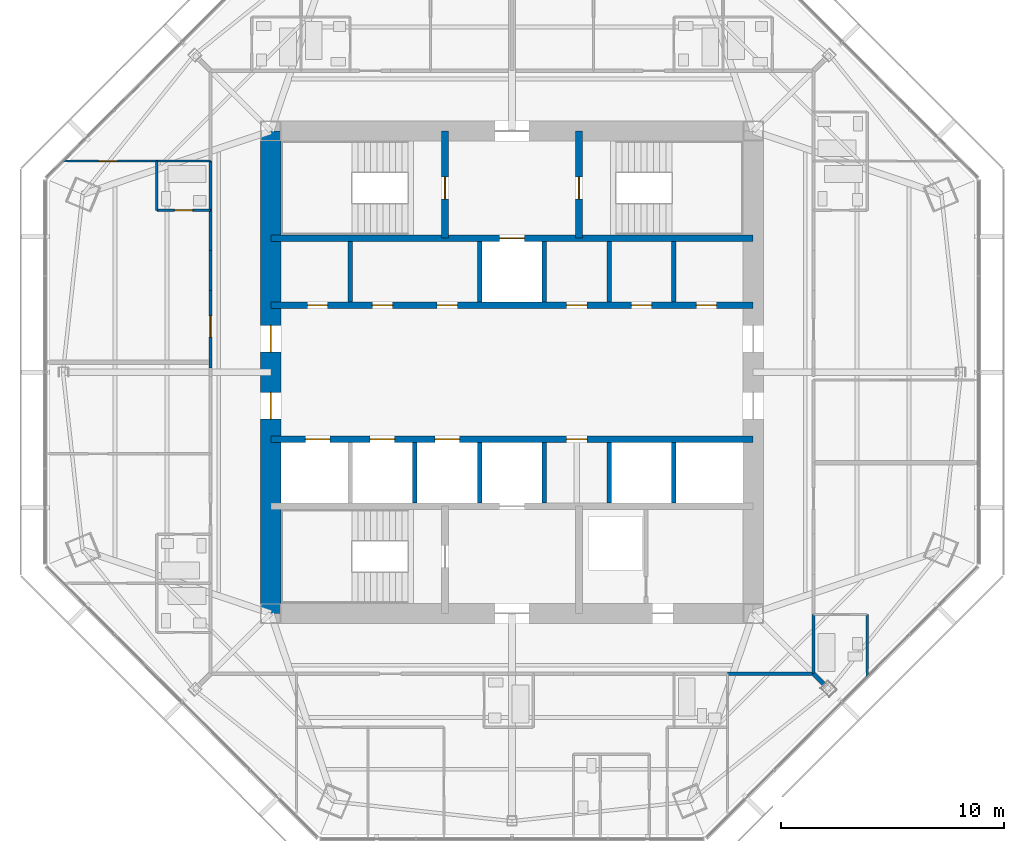
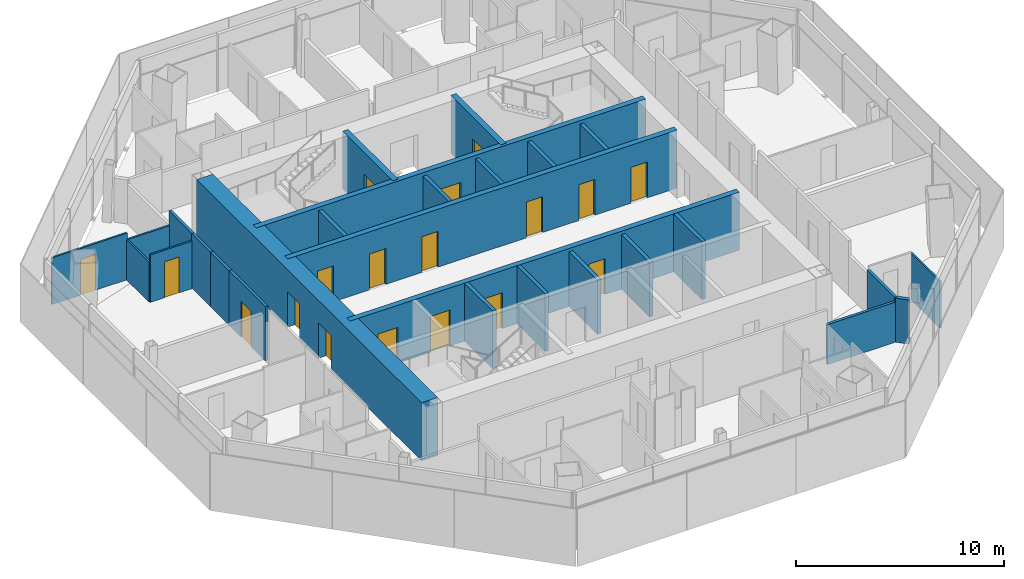
# One storey, part 10 of 14: 28 walls, 18 doors, 18 openings.
"""IFC4 building model written with IfcOpenShell, lengths in metres."""

from ifc_helpers import new_model, si_unit, direction, frame, frame_2d, origin, place, context, subcontext, project, spatial, rectangle, extrude, material, layer, layer_set, type_object, element, fill, save


model = new_model("IFC4")

# Units and contexts
model_context = context("Model", 3, precision=1e-05, world=origin(), true_north=direction((0.0, 1.0)))
body_context = subcontext(model_context, "Body", "Model", "MODEL_VIEW")
ifc_project = project(units=[si_unit("LENGTHUNIT", "METRE"), si_unit("AREAUNIT", "SQUARE_METRE"), si_unit("VOLUMEUNIT", "CUBIC_METRE"), si_unit("PLANEANGLEUNIT", "RADIAN"), si_unit("MASSUNIT", "GRAM", prefix="KILO")], contexts=[model_context])

# Site, building, storey
site_placement = place(None, origin())
site = spatial("IfcSite", under=ifc_project, at=site_placement, CompositionType="ELEMENT")
building_placement = place(site_placement, origin())
building = spatial("IfcBuilding", under=site, at=building_placement, Name="Mashrafa Tower", CompositionType="ELEMENT")
storey_placement = place(building_placement, frame((0.0, 0.0, 251.60009765625)))
storey = spatial("IfcBuildingStorey", under=building, at=storey_placement, Name="L60", CompositionType="ELEMENT", Elevation=251.60009765625)

# Wall
ifc_material_1 = material(Name="Gypsum board on steel studs", Category="steel")
ifc_layer_1 = layer(ifc_material_1, 0.199951171875)
ifc_layer_set_1 = layer_set([ifc_layer_1], Name="Acoustic partition 200 1 hr")
wall_type_1 = type_object("IfcWallType", Name="Acoustic partition 200 1 hr", PredefinedType="PARTITIONING", material=ifc_layer_set_1)
wall_1_placement = place(storey_placement, frame((13.5, -13.5, 0.0), z_axis=(0.0, 0.0, 1.0), x_axis=(0.707106781187, -0.707106781187, 0.0)))
element("IfcWall", 1, at=wall_1_placement, inside=storey, type_object=wall_type_1, Name="Acoustic wall L60-049", PredefinedType="PARTITIONING", context=body_context, shape_type="SweptSolid", body=[
    extrude(rectangle(XDim=0.6650390625, YDim=0.199951171875, at=frame_2d((0.33251953125, 0.0))), origin(), (0.0, 0.0, 1.0), 2.587890625),
])

# Wall, openings, doors
ifc_material_2 = material(Name="Concrete C50/60", Category="concrete")
ifc_layer_2 = layer(ifc_material_2, 0.300048828125)
ifc_layer_set_2 = layer_set([ifc_layer_2], Name="Core wall 300 C50/60")
wall_type_2 = type_object("IfcWallType", Name="Core wall 300 C50/60", PredefinedType="SOLIDWALL", material=ifc_layer_set_2)
wall_2_placement = place(storey_placement, frame((-10.800048828125, 3.0, 0.0), z_axis=(0.0, 0.0, 1.0), x_axis=(1.0, 0.0, 0.0)))
wall_2 = element("IfcWall", 2, at=wall_2_placement, inside=storey, type_object=wall_type_2, Name="Core wall CH-N L60", PredefinedType="SOLIDWALL", context=body_context, shape_type="SweptSolid", body=[
    extrude(rectangle(XDim=21.60009765625, YDim=0.300048828125, at=frame_2d((10.800048828125, 0.0))), origin(), (0.0, 0.0, 1.0), 3.39990234375),
])
opening_1_placement = place(wall_2_placement, frame((1.64990234375, 0.0, 0.0)))
opening_1 = element("IfcOpeningElement", 3, at=opening_1_placement, cuts=wall_2, Name="Opening 60.047", PredefinedType="OPENING", context=body_context, shape_type="SweptSolid", body=[
    extrude(rectangle(XDim=0.89990234375, YDim=2.10009765625, at=frame_2d((0.449951171875, 1.050048828125))), frame((0.0, 0.159912109375, 0.0), z_axis=(0.0, -1.0, 0.0), x_axis=(1.0, 0.0, 0.0)), (0.0, 0.0, 1.0), 0.320068359375),
])
opening_2_placement = place(wall_2_placement, frame((4.550048828125, 0.0, 0.0)))
opening_2 = element("IfcOpeningElement", 4, at=opening_2_placement, cuts=wall_2, Name="Opening 60.048", PredefinedType="OPENING", context=body_context, shape_type="SweptSolid", body=[
    extrude(rectangle(XDim=0.89990234375, YDim=2.10009765625, at=frame_2d((0.449951171875, 1.050048828125))), frame((0.0, 0.159912109375, 0.0), z_axis=(0.0, -1.0, 0.0), x_axis=(1.0, 0.0, 0.0)), (0.0, 0.0, 1.0), 0.320068359375),
])
opening_3_placement = place(wall_2_placement, frame((7.449951171875, 0.0, 0.0)))
opening_3 = element("IfcOpeningElement", 5, at=opening_3_placement, cuts=wall_2, Name="Opening 60.049", PredefinedType="OPENING", context=body_context, shape_type="SweptSolid", body=[
    extrude(rectangle(XDim=0.89990234375, YDim=2.10009765625, at=frame_2d((0.449951171875, 1.050048828125))), frame((0.0, 0.159912109375, 0.0), z_axis=(0.0, -1.0, 0.0), x_axis=(1.0, 0.0, 0.0)), (0.0, 0.0, 1.0), 0.320068359375),
])
opening_4_placement = place(wall_2_placement, frame((13.25, 0.0, 0.0)))
opening_4 = element("IfcOpeningElement", 6, at=opening_4_placement, cuts=wall_2, Name="Opening 60.050", PredefinedType="OPENING", context=body_context, shape_type="SweptSolid", body=[
    extrude(rectangle(XDim=0.89990234375, YDim=2.10009765625, at=frame_2d((0.449951171875, 1.050048828125))), frame((0.0, 0.159912109375, 0.0), z_axis=(0.0, -1.0, 0.0), x_axis=(1.0, 0.0, 0.0)), (0.0, 0.0, 1.0), 0.320068359375),
])
opening_5_placement = place(wall_2_placement, frame((16.14990234375, 0.0, 0.0)))
opening_5 = element("IfcOpeningElement", 7, at=opening_5_placement, cuts=wall_2, Name="Opening 60.052", PredefinedType="OPENING", context=body_context, shape_type="SweptSolid", body=[
    extrude(rectangle(XDim=0.89990234375, YDim=2.10009765625, at=frame_2d((0.449951171875, 1.050048828125))), frame((0.0, 0.159912109375, 0.0), z_axis=(0.0, -1.0, 0.0), x_axis=(1.0, 0.0, 0.0)), (0.0, 0.0, 1.0), 0.320068359375),
])
opening_6_placement = place(wall_2_placement, frame((19.050048828125, 0.0, 0.0)))
opening_6 = element("IfcOpeningElement", 8, at=opening_6_placement, cuts=wall_2, Name="Opening 60.053", PredefinedType="OPENING", context=body_context, shape_type="SweptSolid", body=[
    extrude(rectangle(XDim=0.89990234375, YDim=2.10009765625, at=frame_2d((0.449951171875, 1.050048828125))), frame((0.0, 0.159912109375, 0.0), z_axis=(0.0, -1.0, 0.0), x_axis=(1.0, 0.0, 0.0)), (0.0, 0.0, 1.0), 0.320068359375),
])
ifc_material_3 = material(Name="Timber door", Category="wood")
door_type_1 = type_object("IfcDoorType", Name="Store door 900 x 2100", OperationType="USERDEFINED", PredefinedType="DOOR", material=ifc_material_3)
door_1_placement = place(opening_1_placement, origin())
door_1 = element("IfcDoor", 9, at=door_1_placement, inside=storey, type_object=door_type_1, Name="Refuse Chute Room L60 door", OperationType="SINGLE_SWING_RIGHT", OverallHeight=2.10009765625, OverallWidth=0.89990234375, PredefinedType="DOOR", context=body_context, shape_type="SweptSolid", body=[
    extrude(rectangle(XDim=0.89990234375, YDim=2.10009765625, at=frame_2d((0.449951171875, 1.050048828125))), frame((0.0, 0.02490234375, 0.0), z_axis=(0.0, -1.0, 0.0), x_axis=(1.0, 0.0, 0.0)), (0.0, 0.0, 1.0), 0.050048828125),
])
fill(opening_1, door_1)
door_2_placement = place(opening_2_placement, origin())
door_2 = element("IfcDoor", 10, at=door_2_placement, inside=storey, type_object=door_type_1, Name="Housekeeping and Linen Room L60 door", OperationType="SINGLE_SWING_LEFT", OverallHeight=2.10009765625, OverallWidth=0.89990234375, PredefinedType="DOOR", context=body_context, shape_type="SweptSolid", body=[
    extrude(rectangle(XDim=0.89990234375, YDim=2.10009765625, at=frame_2d((0.449951171875, 1.050048828125))), frame((0.0, 0.02490234375, 0.0), z_axis=(0.0, -1.0, 0.0), x_axis=(1.0, 0.0, 0.0)), (0.0, 0.0, 1.0), 0.050048828125),
])
fill(opening_2, door_2)
door_3_placement = place(opening_3_placement, origin())
door_3 = element("IfcDoor", 11, at=door_3_placement, inside=storey, type_object=door_type_1, Name="Housekeeping and Linen Room L60 door", OperationType="SINGLE_SWING_RIGHT", OverallHeight=2.10009765625, OverallWidth=0.89990234375, PredefinedType="DOOR", context=body_context, shape_type="SweptSolid", body=[
    extrude(rectangle(XDim=0.89990234375, YDim=2.10009765625, at=frame_2d((0.449951171875, 1.050048828125))), frame((0.0, 0.02490234375, 0.0), z_axis=(0.0, -1.0, 0.0), x_axis=(1.0, 0.0, 0.0)), (0.0, 0.0, 1.0), 0.050048828125),
])
fill(opening_3, door_3)
door_4_placement = place(opening_4_placement, origin())
door_4 = element("IfcDoor", 12, at=door_4_placement, inside=storey, type_object=door_type_1, Name="Cleaner's Store L60 door", OperationType="SINGLE_SWING_LEFT", OverallHeight=2.10009765625, OverallWidth=0.89990234375, PredefinedType="DOOR", context=body_context, shape_type="SweptSolid", body=[
    extrude(rectangle(XDim=0.89990234375, YDim=2.10009765625, at=frame_2d((0.449951171875, 1.050048828125))), frame((0.0, 0.02490234375, 0.0), z_axis=(0.0, -1.0, 0.0), x_axis=(1.0, 0.0, 0.0)), (0.0, 0.0, 1.0), 0.050048828125),
])
fill(opening_4, door_4)
door_5_placement = place(opening_5_placement, origin())
door_5 = element("IfcDoor", 13, at=door_5_placement, inside=storey, type_object=door_type_1, Name="Residents' Store L60-K1 door", OperationType="SINGLE_SWING_LEFT", OverallHeight=2.10009765625, OverallWidth=0.89990234375, PredefinedType="DOOR", context=body_context, shape_type="SweptSolid", body=[
    extrude(rectangle(XDim=0.89990234375, YDim=2.10009765625, at=frame_2d((0.449951171875, 1.050048828125))), frame((0.0, 0.02490234375, 0.0), z_axis=(0.0, -1.0, 0.0), x_axis=(1.0, 0.0, 0.0)), (0.0, 0.0, 1.0), 0.050048828125),
])
fill(opening_5, door_5)
door_6_placement = place(opening_6_placement, origin())
door_6 = element("IfcDoor", 14, at=door_6_placement, inside=storey, type_object=door_type_1, Name="Residents' Store L60-K2 door", OperationType="SINGLE_SWING_LEFT", OverallHeight=2.10009765625, OverallWidth=0.89990234375, PredefinedType="DOOR", context=body_context, shape_type="SweptSolid", body=[
    extrude(rectangle(XDim=0.89990234375, YDim=2.10009765625, at=frame_2d((0.449951171875, 1.050048828125))), frame((0.0, 0.02490234375, 0.0), z_axis=(0.0, -1.0, 0.0), x_axis=(1.0, 0.0, 0.0)), (0.0, 0.0, 1.0), 0.050048828125),
])
fill(opening_6, door_6)

# Wall, opening, door
wall_3_placement = place(storey_placement, frame((-10.800048828125, 6.0, 0.0), z_axis=(0.0, 0.0, 1.0), x_axis=(1.0, 0.0, 0.0)))
wall_3 = element("IfcWall", 15, at=wall_3_placement, inside=storey, type_object=wall_type_2, Name="Core wall CB-N L60", PredefinedType="SOLIDWALL", context=body_context, shape_type="SweptSolid", body=[
    extrude(rectangle(XDim=21.60009765625, YDim=0.300048828125, at=frame_2d((10.800048828125, 0.0))), origin(), (0.0, 0.0, 1.0), 3.39990234375),
])
opening_7_placement = place(wall_3_placement, frame((10.25, 0.0, 0.0)))
opening_7 = element("IfcOpeningElement", 16, at=opening_7_placement, cuts=wall_3, Name="Opening 60.F1", PredefinedType="OPENING", context=body_context, shape_type="SweptSolid", body=[
    extrude(rectangle(XDim=1.10009765625, YDim=2.10009765625, at=frame_2d((0.550048828125, 1.050048828125))), frame((0.0, 0.159912109375, 0.0), z_axis=(0.0, -1.0, 0.0), x_axis=(1.0, 0.0, 0.0)), (0.0, 0.0, 1.0), 0.320068359375),
])
ifc_material_4 = material(Name="Steel door", Category="steel")
door_type_2 = type_object("IfcDoorType", Name="Lift landing door 1100 x 2100 90 min", OperationType="DOUBLE_DOOR_SLIDING", PredefinedType="DOOR", material=ifc_material_4)
door_7_placement = place(opening_7_placement, origin())
door_7 = element("IfcDoor", 17, at=door_7_placement, inside=storey, type_object=door_type_2, Name="Lift landing door F1 L60", OperationType="DOUBLE_DOOR_SLIDING", OverallHeight=2.10009765625, OverallWidth=1.10009765625, PredefinedType="DOOR", context=body_context, shape_type="SweptSolid", body=[
    extrude(rectangle(XDim=1.10009765625, YDim=2.10009765625, at=frame_2d((0.550048828125, 1.050048828125))), frame((0.0, 0.02490234375, 0.0), z_axis=(0.0, -1.0, 0.0), x_axis=(1.0, 0.0, 0.0)), (0.0, 0.0, 1.0), 0.050048828125),
])
fill(opening_7, door_7)

wall_4_placement = place(storey_placement, frame((-3.0, 6.0, 0.0), z_axis=(0.0, 0.0, 1.0), x_axis=(0.0, 1.0, 0.0)))
wall_4 = element("IfcWall", 18, at=wall_4_placement, inside=storey, type_object=wall_type_2, Name="Core wall CX-NW L60", PredefinedType="SOLIDWALL", context=body_context, shape_type="SweptSolid", body=[
    extrude(rectangle(XDim=4.800048828125, YDim=0.300048828125, at=frame_2d((2.39990234375, 0.0))), origin(), (0.0, 0.0, 1.0), 3.39990234375),
])
opening_8_placement = place(wall_4_placement, frame((1.75, 0.0, 0.0)))
opening_8 = element("IfcOpeningElement", 19, at=opening_8_placement, cuts=wall_4, Name="Opening 60.042", PredefinedType="OPENING", context=body_context, shape_type="SweptSolid", body=[
    extrude(rectangle(XDim=1.0, YDim=2.10009765625, at=frame_2d((0.5, 1.050048828125))), frame((0.0, 0.159912109375, 0.0), z_axis=(0.0, -1.0, 0.0), x_axis=(1.0, 0.0, 0.0)), (0.0, 0.0, 1.0), 0.320068359375),
])
ifc_material_5 = material(Name="Steel door", Category="steel")
door_type_3 = type_object("IfcDoorType", Name="Stair door 1000 x 2100 90 min", OperationType="USERDEFINED", PredefinedType="DOOR", material=ifc_material_5)
door_8_placement = place(opening_8_placement, origin())
door_8 = element("IfcDoor", 20, at=door_8_placement, inside=storey, type_object=door_type_3, Name="Stair S1 door L60", OperationType="SINGLE_SWING_LEFT", OverallHeight=2.10009765625, OverallWidth=1.0, PredefinedType="DOOR", context=body_context, shape_type="SweptSolid", body=[
    extrude(rectangle(XDim=1.0, YDim=2.10009765625, at=frame_2d((0.5, 1.050048828125))), frame((0.0, 0.02490234375, 0.0), z_axis=(0.0, -1.0, 0.0), x_axis=(1.0, 0.0, 0.0)), (0.0, 0.0, 1.0), 0.050048828125),
])
fill(opening_8, door_8)

wall_5_placement = place(storey_placement, frame((3.0, 6.0, 0.0), z_axis=(0.0, 0.0, 1.0), x_axis=(0.0, 1.0, 0.0)))
wall_5 = element("IfcWall", 21, at=wall_5_placement, inside=storey, type_object=wall_type_2, Name="Core wall CX-NE L60", PredefinedType="SOLIDWALL", context=body_context, shape_type="SweptSolid", body=[
    extrude(rectangle(XDim=4.800048828125, YDim=0.300048828125, at=frame_2d((2.39990234375, 0.0))), origin(), (0.0, 0.0, 1.0), 3.39990234375),
])
opening_9_placement = place(wall_5_placement, frame((1.75, 0.0, 0.0)))
opening_9 = element("IfcOpeningElement", 22, at=opening_9_placement, cuts=wall_5, Name="Opening 60.043", PredefinedType="OPENING", context=body_context, shape_type="SweptSolid", body=[
    extrude(rectangle(XDim=1.0, YDim=2.10009765625, at=frame_2d((0.5, 1.050048828125))), frame((0.0, 0.159912109375, 0.0), z_axis=(0.0, -1.0, 0.0), x_axis=(1.0, 0.0, 0.0)), (0.0, 0.0, 1.0), 0.320068359375),
])
door_9_placement = place(opening_9_placement, frame((1.0, 0.0, 0.0), z_axis=(0.0, 0.0, 1.0), x_axis=(-1.0, 0.0, 0.0)))
door_9 = element("IfcDoor", 23, at=door_9_placement, inside=storey, type_object=door_type_3, Name="Stair S2 door L60", OperationType="SINGLE_SWING_RIGHT", OverallHeight=2.10009765625, OverallWidth=1.0, PredefinedType="DOOR", context=body_context, shape_type="SweptSolid", body=[
    extrude(rectangle(XDim=1.0, YDim=2.10009765625, at=frame_2d((0.5, 1.050048828125))), frame((0.0, 0.02490234375, 0.0), z_axis=(0.0, -1.0, 0.0), x_axis=(1.0, 0.0, 0.0)), (0.0, 0.0, 1.0), 0.050048828125),
])
fill(opening_9, door_9)

# Wall, openings, doors
wall_6_placement = place(storey_placement, frame((-10.800048828125, -3.0, 0.0), z_axis=(0.0, 0.0, 1.0), x_axis=(1.0, 0.0, 0.0)))
wall_6 = element("IfcWall", 24, at=wall_6_placement, inside=storey, type_object=wall_type_2, Name="Core wall CH-S L60", PredefinedType="SOLIDWALL", context=body_context, shape_type="SweptSolid", body=[
    extrude(rectangle(XDim=21.60009765625, YDim=0.300048828125, at=frame_2d((10.800048828125, 0.0))), origin(), (0.0, 0.0, 1.0), 3.39990234375),
])
opening_10_placement = place(wall_6_placement, frame((13.25, 0.0, 0.0)))
opening_10 = element("IfcOpeningElement", 25, at=opening_10_placement, cuts=wall_6, Name="Opening 60.051", PredefinedType="OPENING", context=body_context, shape_type="SweptSolid", body=[
    extrude(rectangle(XDim=0.89990234375, YDim=2.10009765625, at=frame_2d((0.449951171875, 1.050048828125))), frame((0.0, 0.159912109375, 0.0), z_axis=(0.0, -1.0, 0.0), x_axis=(1.0, 0.0, 0.0)), (0.0, 0.0, 1.0), 0.320068359375),
])
opening_11_placement = place(wall_6_placement, frame((1.550048828125, 0.0, 0.0)))
opening_11 = element("IfcOpeningElement", 26, at=opening_11_placement, cuts=wall_6, Name="Opening 60.AL1", PredefinedType="OPENING", context=body_context, shape_type="SweptSolid", body=[
    extrude(rectangle(XDim=1.10009765625, YDim=2.10009765625, at=frame_2d((0.550048828125, 1.050048828125))), frame((0.0, 0.159912109375, 0.0), z_axis=(0.0, -1.0, 0.0), x_axis=(1.0, 0.0, 0.0)), (0.0, 0.0, 1.0), 0.320068359375),
])
opening_12_placement = place(wall_6_placement, frame((4.449951171875, 0.0, 0.0)))
opening_12 = element("IfcOpeningElement", 27, at=opening_12_placement, cuts=wall_6, Name="Opening 60.AL2", PredefinedType="OPENING", context=body_context, shape_type="SweptSolid", body=[
    extrude(rectangle(XDim=1.10009765625, YDim=2.10009765625, at=frame_2d((0.550048828125, 1.050048828125))), frame((0.0, 0.159912109375, 0.0), z_axis=(0.0, -1.0, 0.0), x_axis=(1.0, 0.0, 0.0)), (0.0, 0.0, 1.0), 0.320068359375),
])
opening_13_placement = place(wall_6_placement, frame((7.35009765625, 0.0, 0.0)))
opening_13 = element("IfcOpeningElement", 28, at=opening_13_placement, cuts=wall_6, Name="Opening 60.AL3", PredefinedType="OPENING", context=body_context, shape_type="SweptSolid", body=[
    extrude(rectangle(XDim=1.10009765625, YDim=2.10009765625, at=frame_2d((0.550048828125, 1.050048828125))), frame((0.0, 0.159912109375, 0.0), z_axis=(0.0, -1.0, 0.0), x_axis=(1.0, 0.0, 0.0)), (0.0, 0.0, 1.0), 0.320068359375),
])
door_10_placement = place(opening_11_placement, origin())
door_10 = element("IfcDoor", 29, at=door_10_placement, inside=storey, type_object=door_type_2, Name="Lift landing door AL1 L60", OperationType="DOUBLE_DOOR_SLIDING", OverallHeight=2.10009765625, OverallWidth=1.10009765625, PredefinedType="DOOR", context=body_context, shape_type="SweptSolid", body=[
    extrude(rectangle(XDim=1.10009765625, YDim=2.10009765625, at=frame_2d((0.550048828125, 1.050048828125))), frame((0.0, 0.02490234375, 0.0), z_axis=(0.0, -1.0, 0.0), x_axis=(1.0, 0.0, 0.0)), (0.0, 0.0, 1.0), 0.050048828125),
])
fill(opening_11, door_10)
door_11_placement = place(opening_12_placement, origin())
door_11 = element("IfcDoor", 30, at=door_11_placement, inside=storey, type_object=door_type_2, Name="Lift landing door AL2 L60", OperationType="DOUBLE_DOOR_SLIDING", OverallHeight=2.10009765625, OverallWidth=1.10009765625, PredefinedType="DOOR", context=body_context, shape_type="SweptSolid", body=[
    extrude(rectangle(XDim=1.10009765625, YDim=2.10009765625, at=frame_2d((0.550048828125, 1.050048828125))), frame((0.0, 0.02490234375, 0.0), z_axis=(0.0, -1.0, 0.0), x_axis=(1.0, 0.0, 0.0)), (0.0, 0.0, 1.0), 0.050048828125),
])
fill(opening_12, door_11)
door_12_placement = place(opening_13_placement, origin())
door_12 = element("IfcDoor", 31, at=door_12_placement, inside=storey, type_object=door_type_2, Name="Lift landing door AL3 L60", OperationType="DOUBLE_DOOR_SLIDING", OverallHeight=2.10009765625, OverallWidth=1.10009765625, PredefinedType="DOOR", context=body_context, shape_type="SweptSolid", body=[
    extrude(rectangle(XDim=1.10009765625, YDim=2.10009765625, at=frame_2d((0.550048828125, 1.050048828125))), frame((0.0, 0.02490234375, 0.0), z_axis=(0.0, -1.0, 0.0), x_axis=(1.0, 0.0, 0.0)), (0.0, 0.0, 1.0), 0.050048828125),
])
fill(opening_13, door_12)
door_13_placement = place(opening_10_placement, frame((0.89990234375, 0.0, 0.0), z_axis=(0.0, 0.0, 1.0), x_axis=(-1.0, 0.0, 0.0)))
door_13 = element("IfcDoor", 32, at=door_13_placement, inside=storey, type_object=door_type_1, Name="Communications Room L60 door", OperationType="SINGLE_SWING_RIGHT", OverallHeight=2.10009765625, OverallWidth=0.89990234375, PredefinedType="DOOR", context=body_context, shape_type="SweptSolid", body=[
    extrude(rectangle(XDim=0.89990234375, YDim=2.10009765625, at=frame_2d((0.449951171875, 1.050048828125))), frame((0.0, 0.02490234375, 0.0), z_axis=(0.0, -1.0, 0.0), x_axis=(1.0, 0.0, 0.0)), (0.0, 0.0, 1.0), 0.050048828125),
])
fill(opening_10, door_13)

ifc_material_6 = material(Name="Concrete C50/60", Category="concrete")
ifc_layer_3 = layer(ifc_material_6, 0.89990234375)
ifc_layer_set_3 = layer_set([ifc_layer_3], Name="Core wall 900 C50/60")
wall_type_3 = type_object("IfcWallType", Name="Core wall 900 C50/60", PredefinedType="SOLIDWALL", material=ifc_layer_set_3)
wall_7_placement = place(storey_placement, frame((-10.800048828125, 10.800048828125, 0.0), z_axis=(0.0, 0.0, 1.0), x_axis=(0.0, -1.0, 0.0)))
wall_7 = element("IfcWall", 33, at=wall_7_placement, inside=storey, type_object=wall_type_3, Name="Core wall CW-W L60", PredefinedType="SOLIDWALL", context=body_context, shape_type="SweptSolid", body=[
    extrude(rectangle(XDim=21.60009765625, YDim=0.89990234375, at=frame_2d((10.800048828125, 0.0))), origin(), (0.0, 0.0, 1.0), 3.39990234375),
])
opening_14_placement = place(wall_7_placement, frame((8.699951171875, 0.0, 0.0)))
opening_14 = element("IfcOpeningElement", 34, at=opening_14_placement, cuts=wall_7, Name="Opening 60.037", PredefinedType="OPENING", context=body_context, shape_type="SweptSolid", body=[
    extrude(rectangle(XDim=1.199951171875, YDim=2.10009765625, at=frame_2d((0.60009765625, 1.050048828125))), frame((0.0, 0.4599609375, 0.0), z_axis=(0.0, -1.0, 0.0), x_axis=(1.0, 0.0, 0.0)), (0.0, 0.0, 1.0), 0.919921875),
])
opening_15_placement = place(wall_7_placement, frame((11.699951171875, 0.0, 0.0)))
opening_15 = element("IfcOpeningElement", 35, at=opening_15_placement, cuts=wall_7, Name="Opening 60.039", PredefinedType="OPENING", context=body_context, shape_type="SweptSolid", body=[
    extrude(rectangle(XDim=1.199951171875, YDim=2.10009765625, at=frame_2d((0.60009765625, 1.050048828125))), frame((0.0, 0.4599609375, 0.0), z_axis=(0.0, -1.0, 0.0), x_axis=(1.0, 0.0, 0.0)), (0.0, 0.0, 1.0), 0.919921875),
])
ifc_material_7 = material(Name="Steel door", Category="steel")
door_type_4 = type_object("IfcDoorType", Name="Lift hall door 1200 x 2100 90 min", OperationType="USERDEFINED", PredefinedType="DOOR", material=ifc_material_7)
door_14_placement = place(opening_14_placement, frame((1.199951171875, 0.0, 0.0), z_axis=(0.0, 0.0, 1.0), x_axis=(-1.0, 0.0, 0.0)))
door_14 = element("IfcDoor", 36, at=door_14_placement, inside=storey, type_object=door_type_4, Name="Lift hall door west L60", OperationType="SINGLE_SWING_RIGHT", OverallHeight=2.10009765625, OverallWidth=1.199951171875, PredefinedType="DOOR", context=body_context, shape_type="SweptSolid", body=[
    extrude(rectangle(XDim=1.199951171875, YDim=2.10009765625, at=frame_2d((0.60009765625, 1.050048828125))), frame((0.0, 0.02490234375, 0.0), z_axis=(0.0, -1.0, 0.0), x_axis=(1.0, 0.0, 0.0)), (0.0, 0.0, 1.0), 0.050048828125),
])
fill(opening_14, door_14)
door_15_placement = place(opening_15_placement, frame((1.199951171875, 0.0, 0.0), z_axis=(0.0, 0.0, 1.0), x_axis=(-1.0, 0.0, 0.0)))
door_15 = element("IfcDoor", 37, at=door_15_placement, inside=storey, type_object=door_type_4, Name="Lift hall door west L60", OperationType="SINGLE_SWING_LEFT", OverallHeight=2.10009765625, OverallWidth=1.199951171875, PredefinedType="DOOR", context=body_context, shape_type="SweptSolid", body=[
    extrude(rectangle(XDim=1.199951171875, YDim=2.10009765625, at=frame_2d((0.60009765625, 1.050048828125))), frame((0.0, 0.02490234375, 0.0), z_axis=(0.0, -1.0, 0.0), x_axis=(1.0, 0.0, 0.0)), (0.0, 0.0, 1.0), 0.050048828125),
])
fill(opening_15, door_15)

# Walls
ifc_material_8 = material(Name="Gypsum board on steel studs", Category="steel")
ifc_layer_4 = layer(ifc_material_8, 0.14990234375)
ifc_layer_set_4 = layer_set([ifc_layer_4], Name="Corridor partition 150 1 hr")
wall_type_4 = type_object("IfcWallType", Name="Corridor partition 150 1 hr", PredefinedType="PARTITIONING", material=ifc_layer_set_4)
wall_8_placement = place(storey_placement, frame((13.5, -13.5, 0.0), z_axis=(0.0, 0.0, 1.0), x_axis=(0.0, 1.0, 0.0)))
element("IfcWall", 38, at=wall_8_placement, inside=storey, type_object=wall_type_4, Name="Corridor wall L60-001", PredefinedType="PARTITIONING", context=body_context, shape_type="SweptSolid", body=[
    extrude(rectangle(XDim=2.65087890625, YDim=0.14990234375, at=frame_2d((1.325439453125, 0.0))), origin(), (0.0, 0.0, 1.0), 2.587890625),
])
wall_9_placement = place(storey_placement, frame((-13.5, 9.450927734375, 0.0), z_axis=(0.0, 0.0, 1.0), x_axis=(0.0, -1.0, 0.0)))
element("IfcWall", 39, at=wall_9_placement, inside=storey, type_object=wall_type_4, Name="Corridor wall L60-026", PredefinedType="PARTITIONING", context=body_context, shape_type="SweptSolid", body=[
    extrude(rectangle(XDim=2.201904296875, YDim=0.14990234375, at=frame_2d((1.10107421875, 0.0))), origin(), (0.0, 0.0, 1.0), 3.199951171875),
])
wall_10_placement = place(storey_placement, frame((-13.5, 5.450927734375, 0.0), z_axis=(0.0, 0.0, 1.0), x_axis=(0.0, -1.0, 0.0)))
element("IfcWall", 40, at=wall_10_placement, inside=storey, type_object=wall_type_4, Name="Corridor wall L60-027", PredefinedType="PARTITIONING", context=body_context, shape_type="SweptSolid", body=[
    extrude(rectangle(XDim=1.802001953125, YDim=0.14990234375, at=frame_2d((0.90087890625, 0.0))), origin(), (0.0, 0.0, 1.0), 3.199951171875),
])

# Wall, opening, door
wall_11_placement = place(storey_placement, frame((-13.5, 3.65087890625, 0.0), z_axis=(0.0, 0.0, 1.0), x_axis=(0.0, -1.0, 0.0)))
wall_11 = element("IfcWall", 41, at=wall_11_placement, inside=storey, type_object=wall_type_4, Name="Corridor wall L60-028", PredefinedType="PARTITIONING", context=body_context, shape_type="SweptSolid", body=[
    extrude(rectangle(XDim=3.468505859375, YDim=0.14990234375, at=frame_2d((1.734375, 0.0))), origin(), (0.0, 0.0, 1.0), 3.199951171875),
])
opening_16_placement = place(wall_11_placement, frame((1.1259765625, 0.0, 0.0)))
opening_16 = element("IfcOpeningElement", 42, at=opening_16_placement, cuts=wall_11, Name="Opening 60.020", PredefinedType="OPENING", context=body_context, shape_type="SweptSolid", body=[
    extrude(rectangle(XDim=0.949951171875, YDim=2.10009765625, at=frame_2d((0.47509765625, 1.050048828125))), frame((0.0, 0.0849609375, 0.0), z_axis=(0.0, -1.0, 0.0), x_axis=(1.0, 0.0, 0.0)), (0.0, 0.0, 1.0), 0.169921875),
])
ifc_material_9 = material(Name="Steel door", Category="steel")
door_type_5 = type_object("IfcDoorType", Name="Residence entrance door 950 x 2100 20 min", OperationType="USERDEFINED", PredefinedType="DOOR", material=ifc_material_9)
door_16_placement = place(opening_16_placement, frame((0.949951171875, 0.0, 0.0), z_axis=(0.0, 0.0, 1.0), x_axis=(-1.0, 0.0, 0.0)))
door_16 = element("IfcDoor", 43, at=door_16_placement, inside=storey, type_object=door_type_5, Name="Apartment 6005 Living Room door", OperationType="SINGLE_SWING_LEFT", OverallHeight=2.10009765625, OverallWidth=0.949951171875, PredefinedType="DOOR", context=body_context, shape_type="SweptSolid", body=[
    extrude(rectangle(XDim=0.949951171875, YDim=2.10009765625, at=frame_2d((0.47509765625, 1.050048828125))), frame((0.0, 0.02490234375, 0.0), z_axis=(0.0, -1.0, 0.0), x_axis=(1.0, 0.0, 0.0)), (0.0, 0.0, 1.0), 0.050048828125),
])
fill(opening_16, door_16)

# Walls
wall_12_placement = place(storey_placement, frame((-13.5, 7.2509765625, 0.0), z_axis=(0.0, 0.0, 1.0), x_axis=(0.0, -1.0, 0.0)))
element("IfcWall", 44, at=wall_12_placement, inside=storey, type_object=wall_type_4, Name="Corridor wall L60-029", PredefinedType="PARTITIONING", context=body_context, shape_type="SweptSolid", body=[
    extrude(rectangle(XDim=1.802001953125, YDim=0.14990234375, at=frame_2d((0.90087890625, 0.0))), origin(), (0.0, 0.0, 1.0), 3.199951171875),
])
wall_13_placement = place(storey_placement, frame((9.64892578125, -13.5, 0.0), z_axis=(0.0, 0.0, 1.0), x_axis=(1.0, 0.0, 0.0)))
element("IfcWall", 45, at=wall_13_placement, inside=storey, type_object=wall_type_4, Name="Corridor wall L60-044", PredefinedType="PARTITIONING", context=body_context, shape_type="SweptSolid", body=[
    extrude(rectangle(XDim=3.85107421875, YDim=0.14990234375, at=frame_2d((1.925537109375, 0.0))), origin(), (0.0, 0.0, 1.0), 2.34912109375),
])
ifc_material_10 = material(Name="Gypsum board on steel studs", Category="steel")
ifc_layer_5 = layer(ifc_material_10, 0.10009765625)
ifc_layer_set_5 = layer_set([ifc_layer_5], Name="Partition 100")
wall_type_5 = type_object("IfcWallType", Name="Partition 100", PredefinedType="PARTITIONING", material=ifc_layer_set_5)
wall_14_placement = place(storey_placement, frame((15.89990234375, -13.62939453125, 0.0), z_axis=(0.0, 0.0, 1.0), x_axis=(0.0, 1.0, 0.0)))
element("IfcWall", 46, at=wall_14_placement, inside=storey, type_object=wall_type_5, Name="Partition wall L60-047", PredefinedType="PARTITIONING", context=body_context, shape_type="SweptSolid", body=[
    extrude(rectangle(XDim=2.779296875, YDim=0.10009765625, at=frame_2d((1.3896484375, 0.0))), origin(), (0.0, 0.0, 1.0), 2.740234375),
])
wall_15_placement = place(storey_placement, frame((-15.90087890625, 9.449951171875, 0.0), z_axis=(0.0, 0.0, 1.0), x_axis=(1.0, 0.0, 0.0)))
element("IfcWall", 47, at=wall_15_placement, inside=storey, type_object=wall_type_5, Name="Partition wall L60-077", PredefinedType="PARTITIONING", context=body_context, shape_type="SweptSolid", body=[
    extrude(rectangle(XDim=2.40087890625, YDim=0.10009765625, at=frame_2d((1.200439453125, 0.0))), origin(), (0.0, 0.0, 1.0), 2.34912109375),
])

# Wall, opening, door
wall_16_placement = place(storey_placement, frame((-20.08154296875, 9.449951171875, 0.0), z_axis=(0.0, 0.0, 1.0), x_axis=(1.0, 0.0, 0.0)))
wall_16 = element("IfcWall", 48, at=wall_16_placement, inside=storey, type_object=wall_type_5, Name="Partition wall L60-078", PredefinedType="PARTITIONING", context=body_context, shape_type="SweptSolid", body=[
    extrude(rectangle(XDim=4.1826171875, YDim=0.10009765625, at=frame_2d((2.09130859375, 0.0))), origin(), (0.0, 0.0, 1.0), 2.740234375),
])
opening_17_placement = place(wall_16_placement, frame((1.569091796875, 0.0, 0.0)))
opening_17 = element("IfcOpeningElement", 49, at=opening_17_placement, cuts=wall_16, Name="Opening 60.018", PredefinedType="OPENING", context=body_context, shape_type="SweptSolid", body=[
    extrude(rectangle(XDim=0.85009765625, YDim=2.10009765625, at=frame_2d((0.425048828125, 1.050048828125))), frame((0.0, 0.06005859375, 0.0), z_axis=(0.0, -1.0, 0.0), x_axis=(1.0, 0.0, 0.0)), (0.0, 0.0, 1.0), 0.1201171875),
])
ifc_material_11 = material(Name="Timber door", Category="wood")
door_type_6 = type_object("IfcDoorType", Name="Bedroom door 850 x 2100", OperationType="USERDEFINED", PredefinedType="DOOR", material=ifc_material_11)
door_17_placement = place(opening_17_placement, origin())
door_17 = element("IfcDoor", 50, at=door_17_placement, inside=storey, type_object=door_type_6, Name="Apartment 6005 Bedroom 1 door", OperationType="SINGLE_SWING_LEFT", OverallHeight=2.10009765625, OverallWidth=0.85009765625, PredefinedType="DOOR", context=body_context, shape_type="SweptSolid", body=[
    extrude(rectangle(XDim=0.85009765625, YDim=2.10009765625, at=frame_2d((0.425048828125, 1.050048828125))), frame((0.0, 0.02490234375, 0.0), z_axis=(0.0, -1.0, 0.0), x_axis=(1.0, 0.0, 0.0)), (0.0, 0.0, 1.0), 0.050048828125),
])
fill(opening_17, door_17)

# Wall
wall_17_placement = place(storey_placement, frame((-15.89990234375, 9.449951171875, 0.0), z_axis=(0.0, 0.0, 1.0), x_axis=(0.0, -1.0, 0.0)))
element("IfcWall", 51, at=wall_17_placement, inside=storey, type_object=wall_type_5, Name="Partition wall L60-079", PredefinedType="PARTITIONING", context=body_context, shape_type="SweptSolid", body=[
    extrude(rectangle(XDim=2.199951171875, YDim=0.10009765625, at=frame_2d((1.10009765625, 0.0))), origin(), (0.0, 0.0, 1.0), 2.34912109375),
])

# Wall, opening, door
wall_18_placement = place(storey_placement, frame((-15.89990234375, 7.25, 0.0), z_axis=(0.0, 0.0, 1.0), x_axis=(1.0, 0.0, 0.0)))
wall_18 = element("IfcWall", 52, at=wall_18_placement, inside=storey, type_object=wall_type_5, Name="Partition wall L60-080", PredefinedType="PARTITIONING", context=body_context, shape_type="SweptSolid", body=[
    extrude(rectangle(XDim=2.39990234375, YDim=0.10009765625, at=frame_2d((1.199951171875, 0.0))), origin(), (0.0, 0.0, 1.0), 2.783447265625),
])
opening_18_placement = place(wall_18_placement, frame((0.800048828125, 0.0, 0.0)))
opening_18 = element("IfcOpeningElement", 53, at=opening_18_placement, cuts=wall_18, Name="Opening 60.019", PredefinedType="OPENING", context=body_context, shape_type="SweptSolid", body=[
    extrude(rectangle(XDim=0.800048828125, YDim=2.10009765625, at=frame_2d((0.39990234375, 1.050048828125))), frame((0.0, 0.06005859375, 0.0), z_axis=(0.0, -1.0, 0.0), x_axis=(1.0, 0.0, 0.0)), (0.0, 0.0, 1.0), 0.1201171875),
])
ifc_material_12 = material(Name="Timber door", Category="wood")
door_type_7 = type_object("IfcDoorType", Name="Bathroom door 800 x 2100", OperationType="USERDEFINED", PredefinedType="DOOR", material=ifc_material_12)
door_18_placement = place(opening_18_placement, origin())
door_18 = element("IfcDoor", 54, at=door_18_placement, inside=storey, type_object=door_type_7, Name="Apartment 6005 Bathroom door", OperationType="SINGLE_SWING_LEFT", OverallHeight=2.10009765625, OverallWidth=0.800048828125, PredefinedType="DOOR", context=body_context, shape_type="SweptSolid", body=[
    extrude(rectangle(XDim=0.800048828125, YDim=2.10009765625, at=frame_2d((0.39990234375, 1.050048828125))), frame((0.0, 0.02490234375, 0.0), z_axis=(0.0, -1.0, 0.0), x_axis=(1.0, 0.0, 0.0)), (0.0, 0.0, 1.0), 0.050048828125),
])
fill(opening_18, door_18)

# Walls
ifc_material_13 = material(Name="Gypsum shaft wall on steel studs", Category="steel")
ifc_layer_6 = layer(ifc_material_13, 0.199951171875)
ifc_layer_set_6 = layer_set([ifc_layer_6], Name="Shaft divider wall 200 2 hr")
wall_type_6 = type_object("IfcWallType", Name="Shaft divider wall 200 2 hr", PredefinedType="PARTITIONING", material=ifc_layer_set_6)
for number, where, z_axis, x_axis, name in (
    (55, (-7.25, 3.14990234375, 0.0), (0.0, 0.0, 1.0), (0.0, 1.0, 0.0), "Shaft divider wall N1 L60"),
    (56, (-1.449951171875, 3.14990234375, 0.0), (0.0, 0.0, 1.0), (0.0, 1.0, 0.0), "Shaft divider wall N3 L60"),
    (57, (1.449951171875, 3.14990234375, 0.0), (0.0, 0.0, 1.0), (0.0, 1.0, 0.0), "Shaft divider wall N4 L60"),
    (58, (4.35009765625, 3.14990234375, 0.0), (0.0, 0.0, 1.0), (0.0, 1.0, 0.0), "Shaft divider wall N5 L60"),
    (59, (7.25, 3.14990234375, 0.0), (0.0, 0.0, 1.0), (0.0, 1.0, 0.0), "Shaft divider wall N6 L60"),
):
    element("IfcWall", number, at=place(storey_placement, frame(where, z_axis=z_axis, x_axis=x_axis)), inside=storey, type_object=wall_type_6, Name=name, PredefinedType="PARTITIONING", context=body_context, shape_type="SweptSolid", body=[
        extrude(rectangle(XDim=2.7001953125, YDim=0.199951171875, at=frame_2d((1.35009765625, 0.0))), origin(), (0.0, 0.0, 1.0), 3.199951171875),
    ])
for number, where, z_axis, x_axis, name in (
    (60, (-4.35009765625, -5.85009765625, 0.0), (0.0, 0.0, 1.0), (0.0, 1.0, 0.0), "Shaft divider wall S2 L60"),
    (61, (-1.449951171875, -5.85009765625, 0.0), (0.0, 0.0, 1.0), (0.0, 1.0, 0.0), "Shaft divider wall S3 L60"),
):
    element("IfcWall", number, at=place(storey_placement, frame(where, z_axis=z_axis, x_axis=x_axis)), inside=storey, type_object=wall_type_6, Name=name, PredefinedType="PARTITIONING", context=body_context, shape_type="SweptSolid", body=[
        extrude(rectangle(XDim=2.7001953125, YDim=0.199951171875, at=frame_2d((1.35009765625, 0.0))), origin(), (0.0, 0.0, 1.0), 3.39990234375),
    ])
for number, where, z_axis, x_axis, name in (
    (62, (1.449951171875, -5.85009765625, 0.0), (0.0, 0.0, 1.0), (0.0, 1.0, 0.0), "Shaft divider wall S4 L60"),
    (63, (4.35009765625, -5.85009765625, 0.0), (0.0, 0.0, 1.0), (0.0, 1.0, 0.0), "Shaft divider wall S5 L60"),
):
    element("IfcWall", number, at=place(storey_placement, frame(where, z_axis=z_axis, x_axis=x_axis)), inside=storey, type_object=wall_type_6, Name=name, PredefinedType="PARTITIONING", context=body_context, shape_type="SweptSolid", body=[
        extrude(rectangle(XDim=2.7001953125, YDim=0.199951171875, at=frame_2d((1.35009765625, 0.0))), origin(), (0.0, 0.0, 1.0), 3.199951171875),
    ])
wall_19_placement = place(storey_placement, frame((7.25, -5.85009765625, 0.0), z_axis=(0.0, 0.0, 1.0), x_axis=(0.0, 1.0, 0.0)))
element("IfcWall", 64, at=wall_19_placement, inside=storey, type_object=wall_type_6, Name="Shaft divider wall S6 L60", PredefinedType="PARTITIONING", context=body_context, shape_type="SweptSolid", body=[
    extrude(rectangle(XDim=2.7001953125, YDim=0.199951171875, at=frame_2d((1.35009765625, 0.0))), origin(), (0.0, 0.0, 1.0), 3.39990234375),
])

save(model, "model.ifc")
